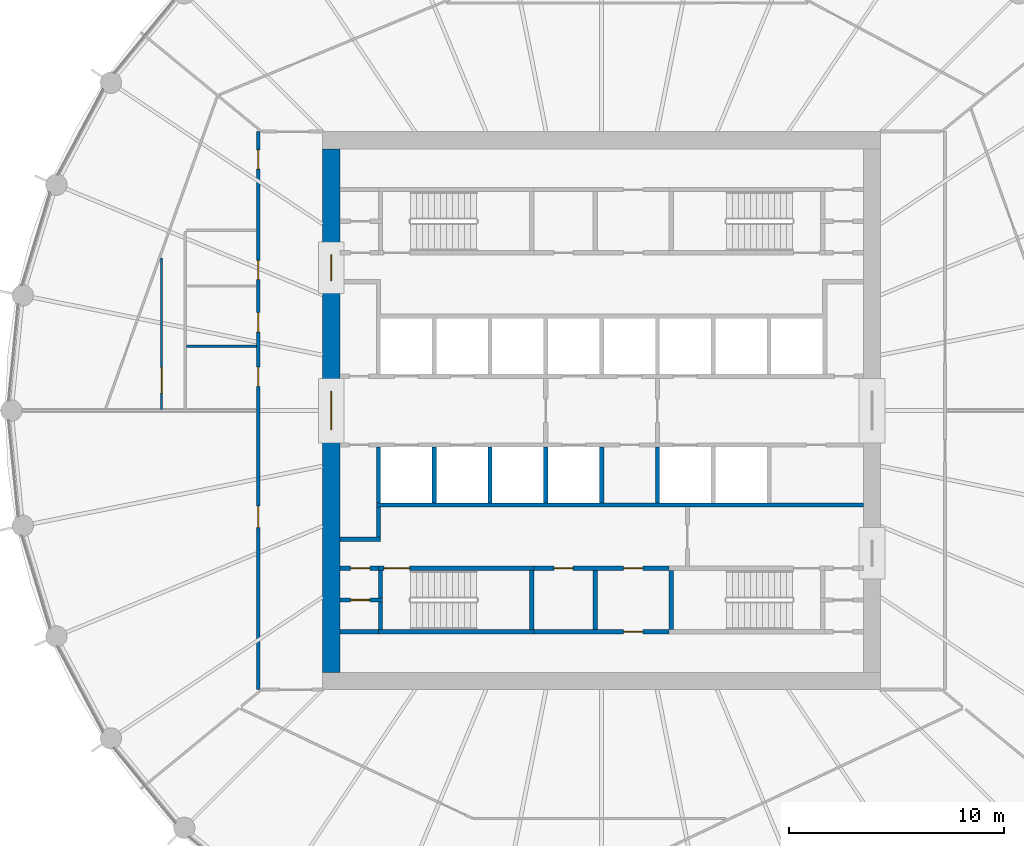
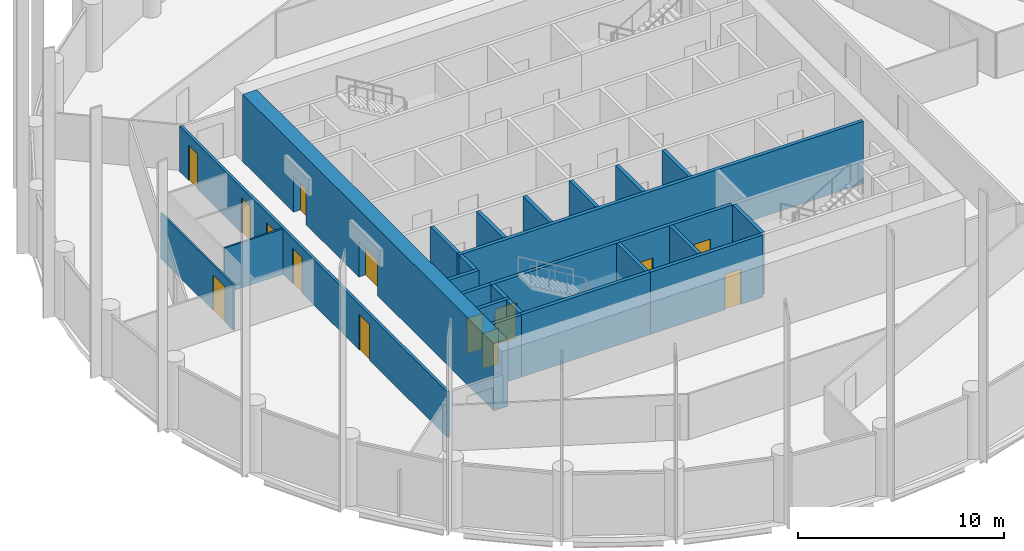
# One storey, part 4 of 8: 25 walls, 14 doors, 14 openings.
"""IFC4 building model written with IfcOpenShell, lengths in metres."""

import ifcopenshell
import ifcopenshell.guid

model = None  # the IFC model being written
_history = None  # IfcOwnerHistory: only IFC2X3 demands one
_inside = {}  # id of a spatial element -> (the spatial element, [elements in it])
_under = {}  # id of a project, library or spatial element -> (it, [spatial elements below it])
_declared = {}  # id of a project -> (the project, [libraries it declares])
_typed = {}  # id of a type object -> (the type object, [elements of that type])
_made_of = {}  # id of a material, layer set ... -> (it, [elements and type objects made of it])


def new_model(schema):
    """Start an empty IFC model of exactly this schema.

    Asked for "IFC4X3", IfcOpenShell would pick the latest addendum, in which some entities
    have other attributes; the version numbers below select the first issue.
    IFC2X3 requires an IfcOwnerHistory on every rooted entity: one is made here for all.
    """
    global model, _history
    if schema == "IFC4X3":
        model = ifcopenshell.file(schema_version=(4, 3, 0, 0))
    else:
        model = ifcopenshell.file(schema=schema)
    _inside.clear()
    _under.clear()
    _declared.clear()
    _typed.clear()
    _made_of.clear()
    _history = None
    if model.schema == "IFC2X3":
        org = make("IfcOrganization", Name="unknown")
        user = make(
            "IfcPersonAndOrganization",
            ThePerson=make("IfcPerson", FamilyName="unknown"),
            TheOrganization=org,
        )
        app = make(
            "IfcApplication",
            ApplicationDeveloper=org,
            Version="unknown",
            ApplicationFullName="unknown",
            ApplicationIdentifier="unknown",
        )
        _history = make(
            "IfcOwnerHistory",
            OwningUser=user,
            OwningApplication=app,
            ChangeAction="ADDED",
            CreationDate=0,
        )
    return model


def make(cls, **values):
    """One entity of the class cls with the attributes given. An attribute that is None is left unset."""
    return model.create_entity(
        cls, **{name: value for name, value in values.items() if value is not None}
    )


def rooted(cls, **values):
    """An entity with a GlobalId (a new one), such as an element, a storey or a relation."""
    return make(cls, GlobalId=ifcopenshell.guid.new(), OwnerHistory=_history, **values)


def si_unit(unit_type, name, prefix=None):
    """IfcSIUnit, for example si_unit("LENGTHUNIT", "METRE", prefix="MILLI")."""
    return make("IfcSIUnit", UnitType=unit_type, Prefix=prefix, Name=name)


def assignment(units):
    """IfcUnitAssignment: the units of a project."""
    return None if units is None else make("IfcUnitAssignment", Units=units)


def point(xyz):
    """IfcCartesianPoint."""
    return None if xyz is None else make("IfcCartesianPoint", Coordinates=xyz)


def direction(xyz):
    """IfcDirection."""
    return None if xyz is None else make("IfcDirection", DirectionRatios=xyz)


def frame(location, z_axis=None, x_axis=None):
    """IfcAxis2Placement3D, a coordinate frame: its origin and axes. An axis left out is left unset."""
    return make(
        "IfcAxis2Placement3D",
        Location=point(location),
        Axis=direction(z_axis),
        RefDirection=direction(x_axis),
    )


def frame_2d(location, x_axis=None):
    """IfcAxis2Placement2D, a coordinate frame in the plane: its origin and x axis."""
    return make(
        "IfcAxis2Placement2D", Location=point(location), RefDirection=direction(x_axis)
    )


def origin():
    """The frame at (0, 0, 0) with its axes left unset."""
    return frame((0.0, 0.0, 0.0))


def place(relative_to, where):
    """IfcLocalPlacement: puts the frame where relative to a parent placement (None: the world)."""
    return make(
        "IfcLocalPlacement", PlacementRelTo=relative_to, RelativePlacement=where
    )


def context(
    kind, dimensions, precision=None, world=None, true_north=None, identifier=None
):
    """IfcGeometricRepresentationContext, for example the 3D "Model" context."""
    return make(
        "IfcGeometricRepresentationContext",
        ContextIdentifier=identifier,
        ContextType=kind,
        CoordinateSpaceDimension=dimensions,
        Precision=precision,
        WorldCoordinateSystem=world,
        TrueNorth=true_north,
    )


def subcontext(parent, identifier, kind, view, scale=None):
    """IfcGeometricRepresentationSubContext, for example "Body" below "Model"."""
    return make(
        "IfcGeometricRepresentationSubContext",
        ContextIdentifier=identifier,
        ContextType=kind,
        ParentContext=parent,
        TargetScale=scale,
        TargetView=view,
    )


def project(units=None, contexts=None):
    """IfcProject with its units and contexts."""
    return rooted(
        "IfcProject",
        Name="project",
        RepresentationContexts=contexts,
        UnitsInContext=assignment(units),
    )


def spatial(cls, under=None, at=None, **own):
    """A site, building, storey or space (cls), placed at a placement, below another one or the project."""
    s = rooted(cls, ObjectPlacement=at, **own)
    if under is not None:
        _under.setdefault(under.id(), (under, []))[1].append(s)
    return s


def polyline(points):
    """IfcPolyline through the points."""
    return make("IfcPolyline", Points=[point(p) for p in points])


def profile(cls, at=None, kind="AREA", **sizes):
    """A parametric profile (cls). Its sizes go by their IFC names, for example OverallWidth=200.0."""
    return make(cls, ProfileType=kind, Position=at, **sizes)


def rectangle(**sizes):
    """IfcRectangleProfileDef."""
    return profile("IfcRectangleProfileDef", **sizes)


def outline(outer, holes=None, kind="AREA"):
    """IfcArbitraryClosedProfileDef: a profile drawn as a closed curve; with holes, ...WithVoids."""
    if holes is None:
        return make("IfcArbitraryClosedProfileDef", ProfileType=kind, OuterCurve=outer)
    return make(
        "IfcArbitraryProfileDefWithVoids",
        ProfileType=kind,
        OuterCurve=outer,
        InnerCurves=holes,
    )


def extrude(swept, where, along, depth):
    """IfcExtrudedAreaSolid: the profile swept, set in the frame where, extruded along a direction by depth."""
    return make(
        "IfcExtrudedAreaSolid",
        SweptArea=swept,
        Position=where,
        ExtrudedDirection=direction(along),
        Depth=depth,
    )


def shape(context_of_items, identifier, shape_type, items):
    """IfcShapeRepresentation: the items that make up one representation, for example the "Body"."""
    return make(
        "IfcShapeRepresentation",
        ContextOfItems=context_of_items,
        RepresentationIdentifier=identifier,
        RepresentationType=shape_type,
        Items=items,
    )


def material(Name=None, Category=None):
    """IfcMaterial."""
    return make("IfcMaterial", Name=Name, Category=Category)


def layer(
    of_material, thickness, ventilated=None, Name=None, Category=None, Priority=None
):
    """IfcMaterialLayer: one layer of a wall or slab, of a material (None: an air gap)."""
    return make(
        "IfcMaterialLayer",
        Material=of_material,
        LayerThickness=thickness,
        IsVentilated=ventilated,
        Name=Name,
        Category=Category,
        Priority=Priority,
    )


def layer_set(layers, Name=None):
    """IfcMaterialLayerSet."""
    return make("IfcMaterialLayerSet", MaterialLayers=layers, LayerSetName=Name)


def made_of(thing, what):
    """Note that an element or type object is made of a material, layer set ...; save() writes the relation."""
    if what is not None:
        _made_of.setdefault(what.id(), (what, []))[1].append(thing)
    return thing


def type_object(cls, material=None, **own):
    """A type object (cls), such as IfcWallType, which elements share."""
    return made_of(rooted(cls, **own), material)


def element(
    cls,
    number,
    at=None,
    inside=None,
    cuts=None,
    type_object=None,
    material=None,
    context=None,
    identifier="Body",
    shape_type=None,
    held_by="IfcProductDefinitionShape",
    body=None,
    shapes=None,
    **own,
):
    """One element of the class cls, such as IfcWall. Its Tag is "e" and its number.

    at: its placement. inside: the storey or other place that contains it. cuts: it is an
    opening in that element (IfcRelVoidsElement). A single representation is given by context,
    identifier, shape_type and body (its items); several are given by shapes. held_by: the class
    of the entity that holds the representations. save() writes the other relations.
    """
    e = rooted(cls, Tag="e%d" % number, ObjectPlacement=at, **own)
    if body is not None:
        shapes = [shape(context, identifier, shape_type, body)]
    if shapes is not None:
        e.Representation = make(held_by, Representations=shapes)
    if inside is not None:
        _inside.setdefault(inside.id(), (inside, []))[1].append(e)
    if cuts is not None:
        rooted(
            "IfcRelVoidsElement", RelatingBuildingElement=cuts, RelatedOpeningElement=e
        )
    if type_object is not None:
        _typed.setdefault(type_object.id(), (type_object, []))[1].append(e)
    return made_of(e, material)


def fill(opening, filler):
    """IfcRelFillsElement: the door or window that sits in an opening."""
    return rooted(
        "IfcRelFillsElement",
        RelatingOpeningElement=opening,
        RelatedBuildingElement=filler,
    )


def aggregate(whole, parts):
    """IfcRelAggregates: a whole, such as a stair, and the parts it consists of."""
    return rooted("IfcRelAggregates", RelatingObject=whole, RelatedObjects=parts)


def save(model, path):
    """Write the relations noted so far, then the file.

    IfcRelAggregates (storeys below a building ...), IfcRelContainedInSpatialStructure (elements
    in a storey), IfcRelDefinesByType, IfcRelAssociatesMaterial and IfcRelDeclares: one each for
    every whole, place, type object, material and project.
    """
    for whole, parts in _under.values():
        aggregate(whole, parts)
    for where, things in _inside.values():
        rooted(
            "IfcRelContainedInSpatialStructure",
            RelatedElements=things,
            RelatingStructure=where,
        )
    for kind, things in _typed.values():
        rooted("IfcRelDefinesByType", RelatedObjects=things, RelatingType=kind)
    for what, things in _made_of.values():
        rooted("IfcRelAssociatesMaterial", RelatedObjects=things, RelatingMaterial=what)
    for by, libraries in _declared.values():
        rooted("IfcRelDeclares", RelatingContext=by, RelatedDefinitions=libraries)
    model.write(path)


model = new_model("IFC4")

# Units and contexts
model_context = context("Model", 3, precision=1e-05, world=origin(), true_north=direction((0.0, 1.0)))
body_context = subcontext(model_context, "Body", "Model", "MODEL_VIEW")
ifc_project = project(units=[si_unit("LENGTHUNIT", "METRE"), si_unit("AREAUNIT", "SQUARE_METRE"), si_unit("VOLUMEUNIT", "CUBIC_METRE"), si_unit("PLANEANGLEUNIT", "RADIAN"), si_unit("MASSUNIT", "GRAM", prefix="KILO")], contexts=[model_context])

# Site, building, storey
site_placement = place(None, origin())
site = spatial("IfcSite", under=ifc_project, at=site_placement, CompositionType="ELEMENT")
building_placement = place(site_placement, origin())
building = spatial("IfcBuilding", under=site, at=building_placement, Name="Corvane Civic Tower", CompositionType="ELEMENT")
storey_placement = place(building_placement, frame((0.0, 0.0, 233.5)))
storey = spatial("IfcBuildingStorey", under=building, at=storey_placement, Name="L55", CompositionType="ELEMENT", Elevation=233.5)

# Wall, openings, doors
ifc_material_1 = material(Name="Concrete C50/60", Category="concrete")
ifc_layer_1 = layer(ifc_material_1, 0.800048828125)
ifc_layer_set_1 = layer_set([ifc_layer_1], Name="Concrete C50/60")
wall_type_1 = type_object("IfcWallType", Name="CORE WALL 800 C50/60", PredefinedType="SHEAR", material=ifc_layer_set_1)
wall_1_placement = place(storey_placement, frame((-12.60009765625, -12.199951171875, 0.0), z_axis=(0.0, 0.0, 1.0), x_axis=(0.0, 1.0, 0.0)))
wall_1 = element("IfcWall", 1, at=wall_1_placement, inside=storey, type_object=wall_type_1, Name="W-L55-core-W", PredefinedType="SHEAR", context=body_context, shape_type="SweptSolid", body=[
    extrude(rectangle(XDim=24.39990234375, YDim=0.800048828125, at=frame_2d((12.199951171875, 0.0))), origin(), (0.0, 0.0, 1.0), 4.0),
])
opening_1_placement = place(wall_1_placement, frame((11.300048828125, 0.0, 0.0)))
opening_1 = element("IfcOpeningElement", 2, at=opening_1_placement, cuts=wall_1, Name="Opening L55.C29", PredefinedType="OPENING", context=body_context, shape_type="SweptSolid", body=[
    extrude(rectangle(XDim=1.800048828125, YDim=2.10009765625, at=frame_2d((0.89990234375, 1.050048828125))), frame((0.0, 0.409912109375, 0.0), z_axis=(0.0, -1.0, 0.0), x_axis=(1.0, 0.0, 0.0)), (0.0, 0.0, 1.0), 0.820068359375),
])
opening_2_placement = place(wall_1_placement, frame((18.25, 0.0, 0.0)))
opening_2 = element("IfcOpeningElement", 3, at=opening_2_placement, cuts=wall_1, Name="Opening L55.C31", PredefinedType="OPENING", context=body_context, shape_type="SweptSolid", body=[
    extrude(rectangle(XDim=1.199951171875, YDim=2.10009765625, at=frame_2d((0.60009765625, 1.050048828125))), frame((0.0, 0.409912109375, 0.0), z_axis=(0.0, -1.0, 0.0), x_axis=(1.0, 0.0, 0.0)), (0.0, 0.0, 1.0), 0.820068359375),
])
ifc_material_2 = material(Name="Steel fire door leaf", Category="steel")
door_type_1 = type_object("IfcDoorType", Name="CR-DOOR-CORE-1800", OperationType="DOUBLE_DOOR_SINGLE_SWING", PredefinedType="DOOR", material=ifc_material_2)
door_1_placement = place(opening_1_placement, origin())
door_1 = element("IfcDoor", 4, at=door_1_placement, inside=storey, type_object=door_type_1, Name="L55 door", OperationType="DOUBLE_DOOR_SINGLE_SWING", OverallHeight=2.10009765625, OverallWidth=1.800048828125, PredefinedType="DOOR", context=body_context, shape_type="SweptSolid", body=[
    extrude(rectangle(XDim=1.800048828125, YDim=2.10009765625, at=frame_2d((0.89990234375, 1.050048828125))), frame((0.0, 0.02490234375, 0.0), z_axis=(0.0, -1.0, 0.0), x_axis=(1.0, 0.0, 0.0)), (0.0, 0.0, 1.0), 0.050048828125),
])
fill(opening_1, door_1)
door_2_placement = place(opening_2_placement, origin())
door_2 = element("IfcDoor", 5, at=door_2_placement, inside=storey, type_object=door_type_1, Name="L55 door", OperationType="DOUBLE_DOOR_SINGLE_SWING", OverallHeight=2.10009765625, OverallWidth=1.199951171875, PredefinedType="DOOR", context=body_context, shape_type="SweptSolid", body=[
    extrude(rectangle(XDim=1.199951171875, YDim=2.10009765625, at=frame_2d((0.60009765625, 1.050048828125))), frame((0.0, 0.02490234375, 0.0), z_axis=(0.0, -1.0, 0.0), x_axis=(1.0, 0.0, 0.0)), (0.0, 0.0, 1.0), 0.050048828125),
])
fill(opening_2, door_2)

# Wall, opening, door
ifc_material_3 = material(Name="Concrete C30/37", Category="concrete")
ifc_layer_2 = layer(ifc_material_3, 0.199951171875)
ifc_layer_set_2 = layer_set([ifc_layer_2], Name="Concrete C30/37")
wall_type_2 = type_object("IfcWallType", Name="CR-WALL-200", PredefinedType="PARTITIONING", material=ifc_layer_set_2)
wall_2_placement = place(storey_placement, frame((-3.14990234375, -10.300048828125, 0.0), z_axis=(0.0, 0.0, 1.0), x_axis=(1.0, 0.0, 0.0)))
wall_2 = element("IfcWall", 6, at=wall_2_placement, inside=storey, type_object=wall_type_2, Name="L55 partition wall", PredefinedType="PARTITIONING", context=body_context, shape_type="SweptSolid", body=[
    extrude(rectangle(XDim=6.2998046875, YDim=0.199951171875, at=frame_2d((3.14990234375, 0.0))), origin(), (0.0, 0.0, 1.0), 3.699951171875),
])
opening_3_placement = place(wall_2_placement, frame((4.175048828125, 0.0, 0.0)))
opening_3 = element("IfcOpeningElement", 7, at=opening_3_placement, cuts=wall_2, Name="Opening L55.C11", PredefinedType="OPENING", context=body_context, shape_type="SweptSolid", body=[
    extrude(rectangle(XDim=0.89990234375, YDim=2.10009765625, at=frame_2d((0.449951171875, 1.050048828125))), frame((0.0, 0.10986328125, 0.0), z_axis=(0.0, -1.0, 0.0), x_axis=(1.0, 0.0, 0.0)), (0.0, 0.0, 1.0), 0.219970703125),
])
ifc_material_4 = material(Name="Steel fire door leaf", Category="steel")
door_type_2 = type_object("IfcDoorType", Name="CR-DOOR-900", OperationType="SINGLE_SWING_LEFT", PredefinedType="DOOR", material=ifc_material_4)
door_3_placement = place(opening_3_placement, origin())
door_3 = element("IfcDoor", 8, at=door_3_placement, inside=storey, type_object=door_type_2, Name="L55 door", OperationType="SINGLE_SWING_LEFT", OverallHeight=2.10009765625, OverallWidth=0.89990234375, PredefinedType="DOOR", context=body_context, shape_type="SweptSolid", body=[
    extrude(rectangle(XDim=0.89990234375, YDim=2.10009765625, at=frame_2d((0.449951171875, 1.050048828125))), frame((0.0, 0.02490234375, 0.0), z_axis=(0.0, -1.0, 0.0), x_axis=(1.0, 0.0, 0.0)), (0.0, 0.0, 1.0), 0.050048828125),
])
fill(opening_3, door_3)

wall_3_placement = place(storey_placement, frame((-12.199951171875, -8.824951171875, 0.0), z_axis=(0.0, 0.0, 1.0), x_axis=(1.0, 0.0, 0.0)))
wall_3 = element("IfcWall", 9, at=wall_3_placement, inside=storey, type_object=wall_type_2, Name="L55 partition wall", PredefinedType="PARTITIONING", context=body_context, shape_type="SweptSolid", body=[
    extrude(rectangle(XDim=2.0, YDim=0.199951171875, at=frame_2d((1.0, 0.0))), origin(), (0.0, 0.0, 1.0), 3.699951171875),
])
opening_4_placement = place(wall_3_placement, frame((0.5, 0.0, 0.0)))
opening_4 = element("IfcOpeningElement", 10, at=opening_4_placement, cuts=wall_3, Name="Opening L55.C15", PredefinedType="OPENING", context=body_context, shape_type="SweptSolid", body=[
    extrude(rectangle(XDim=0.89990234375, YDim=2.10009765625, at=frame_2d((0.449951171875, 1.050048828125))), frame((0.0, 0.10986328125, 0.0), z_axis=(0.0, -1.0, 0.0), x_axis=(1.0, 0.0, 0.0)), (0.0, 0.0, 1.0), 0.219970703125),
])
door_4_placement = place(opening_4_placement, origin())
door_4 = element("IfcDoor", 11, at=door_4_placement, inside=storey, type_object=door_type_2, Name="L55 door", OperationType="SINGLE_SWING_LEFT", OverallHeight=2.10009765625, OverallWidth=0.89990234375, PredefinedType="DOOR", context=body_context, shape_type="SweptSolid", body=[
    extrude(rectangle(XDim=0.89990234375, YDim=2.10009765625, at=frame_2d((0.449951171875, 1.050048828125))), frame((0.0, 0.02490234375, 0.0), z_axis=(0.0, -1.0, 0.0), x_axis=(1.0, 0.0, 0.0)), (0.0, 0.0, 1.0), 0.050048828125),
])
fill(opening_4, door_4)

wall_4_placement = place(storey_placement, frame((-12.199951171875, -7.35009765625, 0.0), z_axis=(0.0, 0.0, 1.0), x_axis=(1.0, 0.0, 0.0)))
wall_4 = element("IfcWall", 12, at=wall_4_placement, inside=storey, type_object=wall_type_2, Name="L55 core partition wall", PredefinedType="PARTITIONING", context=body_context, shape_type="SweptSolid", body=[
    extrude(rectangle(XDim=1.800048828125, YDim=0.199951171875, at=frame_2d((0.89990234375, 0.0))), origin(), (0.0, 0.0, 1.0), 3.699951171875),
])
opening_5_placement = place(wall_4_placement, frame((0.5, 0.0, 0.0)))
opening_5 = element("IfcOpeningElement", 13, at=opening_5_placement, cuts=wall_4, Name="Opening L55.C14", PredefinedType="OPENING", context=body_context, shape_type="SweptSolid", body=[
    extrude(rectangle(XDim=0.89990234375, YDim=2.10009765625, at=frame_2d((0.449951171875, 1.050048828125))), frame((0.0, 0.10986328125, 0.0), z_axis=(0.0, -1.0, 0.0), x_axis=(1.0, 0.0, 0.0)), (0.0, 0.0, 1.0), 0.219970703125),
])
door_5_placement = place(opening_5_placement, origin())
door_5 = element("IfcDoor", 14, at=door_5_placement, inside=storey, type_object=door_type_2, Name="L55 door", OperationType="SINGLE_SWING_LEFT", OverallHeight=2.10009765625, OverallWidth=0.89990234375, PredefinedType="DOOR", context=body_context, shape_type="SweptSolid", body=[
    extrude(rectangle(XDim=0.89990234375, YDim=2.10009765625, at=frame_2d((0.449951171875, 1.050048828125))), frame((0.0, 0.02490234375, 0.0), z_axis=(0.0, -1.0, 0.0), x_axis=(1.0, 0.0, 0.0)), (0.0, 0.0, 1.0), 0.050048828125),
])
fill(opening_5, door_5)

# Wall, openings, doors
wall_5_placement = place(storey_placement, frame((-3.14990234375, -7.35009765625, 0.0), z_axis=(0.0, 0.0, 1.0), x_axis=(1.0, 0.0, 0.0)))
wall_5 = element("IfcWall", 15, at=wall_5_placement, inside=storey, type_object=wall_type_2, Name="L55 core partition wall", PredefinedType="PARTITIONING", context=body_context, shape_type="SweptSolid", body=[
    extrude(rectangle(XDim=6.2998046875, YDim=0.199951171875, at=frame_2d((3.14990234375, 0.0))), origin(), (0.0, 0.0, 1.0), 3.699951171875),
])
opening_6_placement = place(wall_5_placement, frame((0.925048828125, 0.0, 0.0)))
opening_6 = element("IfcOpeningElement", 16, at=opening_6_placement, cuts=wall_5, Name="Opening L55.C08", PredefinedType="OPENING", context=body_context, shape_type="SweptSolid", body=[
    extrude(rectangle(XDim=0.89990234375, YDim=2.10009765625, at=frame_2d((0.449951171875, 1.050048828125))), frame((0.0, 0.10986328125, 0.0), z_axis=(0.0, -1.0, 0.0), x_axis=(1.0, 0.0, 0.0)), (0.0, 0.0, 1.0), 0.219970703125),
])
opening_7_placement = place(wall_5_placement, frame((4.175048828125, 0.0, 0.0)))
opening_7 = element("IfcOpeningElement", 17, at=opening_7_placement, cuts=wall_5, Name="Opening L55.C09", PredefinedType="OPENING", context=body_context, shape_type="SweptSolid", body=[
    extrude(rectangle(XDim=0.89990234375, YDim=2.10009765625, at=frame_2d((0.449951171875, 1.050048828125))), frame((0.0, 0.10986328125, 0.0), z_axis=(0.0, -1.0, 0.0), x_axis=(1.0, 0.0, 0.0)), (0.0, 0.0, 1.0), 0.219970703125),
])
door_6_placement = place(opening_6_placement, origin())
door_6 = element("IfcDoor", 18, at=door_6_placement, inside=storey, type_object=door_type_2, Name="L55 door", OperationType="SINGLE_SWING_LEFT", OverallHeight=2.10009765625, OverallWidth=0.89990234375, PredefinedType="DOOR", context=body_context, shape_type="SweptSolid", body=[
    extrude(rectangle(XDim=0.89990234375, YDim=2.10009765625, at=frame_2d((0.449951171875, 1.050048828125))), frame((0.0, 0.02490234375, 0.0), z_axis=(0.0, -1.0, 0.0), x_axis=(1.0, 0.0, 0.0)), (0.0, 0.0, 1.0), 0.050048828125),
])
fill(opening_6, door_6)
door_7_placement = place(opening_7_placement, origin())
door_7 = element("IfcDoor", 19, at=door_7_placement, inside=storey, type_object=door_type_2, Name="L55 door", OperationType="SINGLE_SWING_LEFT", OverallHeight=2.10009765625, OverallWidth=0.89990234375, PredefinedType="DOOR", context=body_context, shape_type="SweptSolid", body=[
    extrude(rectangle(XDim=0.89990234375, YDim=2.10009765625, at=frame_2d((0.449951171875, 1.050048828125))), frame((0.0, 0.02490234375, 0.0), z_axis=(0.0, -1.0, 0.0), x_axis=(1.0, 0.0, 0.0)), (0.0, 0.0, 1.0), 0.050048828125),
])
fill(opening_7, door_7)

# Walls
wall_6_placement = place(storey_placement, origin())
element("IfcWall", 20, at=wall_6_placement, inside=storey, type_object=wall_type_2, Name="L55 core partition wall", PredefinedType="PARTITIONING", context=body_context, shape_type="SweptSolid", body=[
    extrude(outline(polyline([(12.199951171875, -4.300048828125), (12.199951171875, -4.5), (-10.5, -4.5), (-10.5, -4.300048828125), (12.199951171875, -4.300048828125)])), origin(), (0.0, 0.0, 1.0), 3.699951171875),
])
wall_7_placement = place(storey_placement, origin())
element("IfcWall", 21, at=wall_7_placement, inside=storey, type_object=wall_type_2, Name="L55 core partition wall", PredefinedType="PARTITIONING", context=body_context, shape_type="SweptSolid", body=[
    extrude(outline(polyline([(-2.5, -1.699951171875), (-2.5, -4.2998046875), (-2.699951171875, -4.2998046875), (-2.699951171875, -1.699951171875), (-2.5, -1.699951171875)])), origin(), (0.0, 0.0, 1.0), 3.699951171875),
])
wall_8_placement = place(storey_placement, origin())
element("IfcWall", 22, at=wall_8_placement, inside=storey, type_object=wall_type_2, Name="L55 core partition wall", PredefinedType="PARTITIONING", context=body_context, shape_type="SweptSolid", body=[
    extrude(outline(polyline([(2.699951171875, -1.699951171875), (2.699951171875, -4.2998046875), (2.5, -4.2998046875), (2.5, -1.699951171875), (2.699951171875, -1.699951171875)])), origin(), (0.0, 0.0, 1.0), 3.699951171875),
])
wall_9_placement = place(storey_placement, origin())
element("IfcWall", 23, at=wall_9_placement, inside=storey, type_object=wall_type_2, Name="L55 core partition wall", PredefinedType="PARTITIONING", context=body_context, shape_type="SweptSolid", body=[
    extrude(outline(polyline([(0.10009765625, -1.699951171875), (0.10009765625, -4.2998046875), (-0.10009765625, -4.2998046875), (-0.10009765625, -1.699951171875), (0.10009765625, -1.699951171875)])), origin(), (0.0, 0.0, 1.0), 3.699951171875),
])
wall_10_placement = place(storey_placement, origin())
element("IfcWall", 24, at=wall_10_placement, inside=storey, type_object=wall_type_2, Name="L55 core partition wall", PredefinedType="PARTITIONING", context=body_context, shape_type="SweptSolid", body=[
    extrude(outline(polyline([(-10.300048828125, -1.699951171875), (-10.300048828125, -4.2998046875), (-10.5, -4.2998046875), (-10.5, -1.699951171875), (-10.300048828125, -1.699951171875)])), origin(), (0.0, 0.0, 1.0), 3.699951171875),
])
wall_11_placement = place(storey_placement, origin())
element("IfcWall", 25, at=wall_11_placement, inside=storey, type_object=wall_type_2, Name="L55 core partition wall", PredefinedType="PARTITIONING", context=body_context, shape_type="SweptSolid", body=[
    extrude(outline(polyline([(-7.699951171875, -1.699951171875), (-7.699951171875, -4.2998046875), (-7.89990234375, -4.2998046875), (-7.89990234375, -1.699951171875), (-7.699951171875, -1.699951171875)])), origin(), (0.0, 0.0, 1.0), 3.699951171875),
])
wall_12_placement = place(storey_placement, origin())
element("IfcWall", 26, at=wall_12_placement, inside=storey, type_object=wall_type_2, Name="L55 core partition wall", PredefinedType="PARTITIONING", context=body_context, shape_type="SweptSolid", body=[
    extrude(outline(polyline([(-5.10009765625, -1.699951171875), (-5.10009765625, -4.2998046875), (-5.300048828125, -4.2998046875), (-5.300048828125, -1.699951171875), (-5.10009765625, -1.699951171875)])), origin(), (0.0, 0.0, 1.0), 3.699951171875),
])
wall_13_placement = place(storey_placement, origin())
element("IfcWall", 27, at=wall_13_placement, inside=storey, type_object=wall_type_2, Name="L55 core partition wall", PredefinedType="PARTITIONING", context=body_context, shape_type="SweptSolid", body=[
    extrude(outline(polyline([(-10.300048828125, -6.10009765625), (-12.199951171875, -6.10009765625), (-12.199951171875, -5.89990234375), (-10.300048828125, -5.89990234375), (-10.300048828125, -6.10009765625)])), origin(), (0.0, 0.0, 1.0), 3.699951171875),
])
wall_14_placement = place(storey_placement, origin())
element("IfcWall", 28, at=wall_14_placement, inside=storey, type_object=wall_type_2, Name="L55 core partition wall", PredefinedType="PARTITIONING", context=body_context, shape_type="SweptSolid", body=[
    extrude(outline(polyline([(-10.300048828125, -5.89990234375), (-10.5, -5.89990234375), (-10.5, -4.5), (-10.300048828125, -4.5), (-10.300048828125, -5.89990234375)])), origin(), (0.0, 0.0, 1.0), 3.699951171875),
])
wall_15_placement = place(storey_placement, origin())
element("IfcWall", 29, at=wall_15_placement, inside=storey, type_object=wall_type_2, Name="L55 core partition wall", PredefinedType="PARTITIONING", context=body_context, shape_type="SweptSolid", body=[
    extrude(outline(polyline([(-10.39990234375, -10.39990234375), (-12.199951171875, -10.39990234375), (-12.199951171875, -10.199951171875), (-10.39990234375, -10.199951171875), (-10.39990234375, -10.39990234375)])), origin(), (0.0, 0.0, 1.0), 3.699951171875),
])
wall_16_placement = place(storey_placement, origin())
element("IfcWall", 30, at=wall_16_placement, inside=storey, type_object=wall_type_2, Name="L55 core partition wall", PredefinedType="PARTITIONING", context=body_context, shape_type="SweptSolid", body=[
    extrude(outline(polyline([(-0.199951171875, -10.199951171875), (-0.39990234375, -10.199951171875), (-0.39990234375, -7.449951171875), (-0.199951171875, -7.449951171875), (-0.199951171875, -10.199951171875)])), origin(), (0.0, 0.0, 1.0), 3.699951171875),
])

# Wall, opening, door
ifc_material_5 = material(Name="Plasterboard")
ifc_layer_3 = layer(ifc_material_5, 0.10009765625)
ifc_layer_set_3 = layer_set([ifc_layer_3], Name="Plasterboard")
wall_type_3 = type_object("IfcWallType", Name="Partition 100 plasterboard on studs", PredefinedType="PARTITIONING", material=ifc_layer_set_3)
wall_17_placement = place(storey_placement, frame((-20.5, 0.050048828125, 0.0), z_axis=(0.0, 0.0, 1.0), x_axis=(0.0, 1.0, 0.0)))
wall_17 = element("IfcWall", 31, at=wall_17_placement, inside=storey, type_object=wall_type_3, Name="Partition L55.017", PredefinedType="PARTITIONING", context=body_context, shape_type="SweptSolid", body=[
    extrude(rectangle(XDim=7.05322265625, YDim=0.10009765625, at=frame_2d((3.526611328125, 0.0))), origin(), (0.0, 0.0, 1.0), 2.699951171875),
])
opening_8_placement = place(wall_17_placement, frame((0.767578125, 0.0, 0.0)))
opening_8 = element("IfcOpeningElement", 32, at=opening_8_placement, cuts=wall_17, Name="Opening L55.013", PredefinedType="OPENING", context=body_context, shape_type="SweptSolid", body=[
    extrude(rectangle(XDim=1.199951171875, YDim=2.10009765625, at=frame_2d((0.60009765625, 1.050048828125))), frame((0.0, 0.06005859375, 0.0), z_axis=(0.0, -1.0, 0.0), x_axis=(1.0, 0.0, 0.0)), (0.0, 0.0, 1.0), 0.1201171875),
])
ifc_material_6 = material(Name="Timber", Category="wood")
door_type_3 = type_object("IfcDoorType", Name="Double door 1200", OperationType="NOTDEFINED", PredefinedType="DOOR", material=ifc_material_6)
door_8_placement = place(opening_8_placement, origin())
door_8 = element("IfcDoor", 33, at=door_8_placement, inside=storey, type_object=door_type_3, Name="Door L55.013", OperationType="DOUBLE_DOOR_SINGLE_SWING", OverallHeight=2.10009765625, OverallWidth=1.199951171875, PredefinedType="DOOR", context=body_context, shape_type="SweptSolid", body=[
    extrude(rectangle(XDim=1.199951171875, YDim=2.10009765625, at=frame_2d((0.60009765625, 1.050048828125))), frame((0.0, 0.02490234375, 0.0), z_axis=(0.0, -1.0, 0.0), x_axis=(1.0, 0.0, 0.0)), (0.0, 0.0, 1.0), 0.050048828125),
])
fill(opening_8, door_8)

# Wall
wall_18_placement = place(storey_placement, frame((-19.35009765625, 3.0, 0.0), z_axis=(0.0, 0.0, 1.0), x_axis=(1.0, 0.0, 0.0)))
element("IfcWall", 34, at=wall_18_placement, inside=storey, type_object=wall_type_3, Name="Partition L55.021", PredefinedType="PARTITIONING", context=body_context, shape_type="SweptSolid", body=[
    extrude(rectangle(XDim=3.275146484375, YDim=0.10009765625, at=frame_2d((1.6376953125, 0.0))), origin(), (0.0, 0.0, 1.0), 2.699951171875),
])

# Wall, opening, door
ifc_material_7 = material(Name="Concrete C50/60", Category="concrete")
ifc_layer_4 = layer(ifc_material_7, 0.199951171875)
ifc_layer_set_4 = layer_set([ifc_layer_4], Name="Concrete C50/60")
wall_type_4 = type_object("IfcWallType", Name="ST-WALL-200", PredefinedType="SHEAR", material=ifc_layer_set_4)
wall_19_placement = place(storey_placement, frame((-10.39990234375, -7.35009765625, 0.0), z_axis=(0.0, 0.0, 1.0), x_axis=(1.0, 0.0, 0.0)))
wall_19 = element("IfcWall", 35, at=wall_19_placement, inside=storey, type_object=wall_type_4, Name="L55 stair enclosure wall", PredefinedType="SHEAR", context=body_context, shape_type="SweptSolid", body=[
    extrude(rectangle(XDim=7.25, YDim=0.199951171875, at=frame_2d((3.625, 0.0))), origin(), (0.0, 0.0, 1.0), 3.699951171875),
])
opening_9_placement = place(wall_19_placement, frame((0.25, 0.0, 0.0)))
opening_9 = element("IfcOpeningElement", 36, at=opening_9_placement, cuts=wall_19, Name="Opening L55.C25", PredefinedType="OPENING", context=body_context, shape_type="SweptSolid", body=[
    extrude(rectangle(XDim=1.199951171875, YDim=2.10009765625, at=frame_2d((0.60009765625, 1.050048828125))), frame((0.0, 0.10986328125, 0.0), z_axis=(0.0, -1.0, 0.0), x_axis=(1.0, 0.0, 0.0)), (0.0, 0.0, 1.0), 0.219970703125),
])
ifc_material_8 = material(Name="Steel fire door leaf", Category="steel")
door_type_4 = type_object("IfcDoorType", Name="ST-DOOR-1200", OperationType="SINGLE_SWING_RIGHT", PredefinedType="DOOR", material=ifc_material_8)
door_9_placement = place(opening_9_placement, origin())
door_9 = element("IfcDoor", 37, at=door_9_placement, inside=storey, type_object=door_type_4, Name="L55 stair door", OperationType="SINGLE_SWING_RIGHT", OverallHeight=2.10009765625, OverallWidth=1.199951171875, PredefinedType="DOOR", context=body_context, shape_type="SweptSolid", body=[
    extrude(rectangle(XDim=1.199951171875, YDim=2.10009765625, at=frame_2d((0.60009765625, 1.050048828125))), frame((0.0, 0.02490234375, 0.0), z_axis=(0.0, -1.0, 0.0), x_axis=(1.0, 0.0, 0.0)), (0.0, 0.0, 1.0), 0.050048828125),
])
fill(opening_9, door_9)

# Walls
wall_20_placement = place(storey_placement, origin())
element("IfcWall", 38, at=wall_20_placement, inside=storey, type_object=wall_type_4, Name="L55 stair enclosure wall", PredefinedType="SHEAR", context=body_context, shape_type="SweptSolid", body=[
    extrude(outline(polyline([(-3.14990234375, -10.199951171875), (-3.14990234375, -10.39990234375), (-10.39990234375, -10.39990234375), (-10.39990234375, -10.199951171875), (-3.14990234375, -10.199951171875)])), origin(), (0.0, 0.0, 1.0), 3.699951171875),
])
wall_21_placement = place(storey_placement, origin())
element("IfcWall", 39, at=wall_21_placement, inside=storey, type_object=wall_type_4, Name="L55 stair enclosure wall", PredefinedType="SHEAR", context=body_context, shape_type="SweptSolid", body=[
    extrude(outline(polyline([(-3.14990234375, -7.449951171875), (-3.14990234375, -10.199951171875), (-3.35009765625, -10.199951171875), (-3.35009765625, -7.449951171875), (-3.14990234375, -7.449951171875)])), origin(), (0.0, 0.0, 1.0), 3.699951171875),
])
wall_22_placement = place(storey_placement, origin())
element("IfcWall", 40, at=wall_22_placement, inside=storey, type_object=wall_type_4, Name="L55 stair enclosure wall", PredefinedType="SHEAR", context=body_context, shape_type="SweptSolid", body=[
    extrude(outline(polyline([(3.35009765625, -7.449951171875), (3.35009765625, -10.199951171875), (3.14990234375, -10.199951171875), (3.14990234375, -7.449951171875), (3.35009765625, -7.449951171875)])), origin(), (0.0, 0.0, 1.0), 3.699951171875),
])
wall_23_placement = place(storey_placement, origin())
element("IfcWall", 41, at=wall_23_placement, inside=storey, type_object=wall_type_4, Name="L55 stair enclosure wall", PredefinedType="SHEAR", context=body_context, shape_type="SweptSolid", body=[
    extrude(outline(polyline([(-10.199951171875, -7.449951171875), (-10.199951171875, -8.72509765625), (-10.39990234375, -8.72509765625), (-10.39990234375, -7.449951171875), (-10.199951171875, -7.449951171875)])), origin(), (0.0, 0.0, 1.0), 3.699951171875),
])
wall_24_placement = place(storey_placement, origin())
element("IfcWall", 42, at=wall_24_placement, inside=storey, type_object=wall_type_4, Name="L55 stair enclosure wall", PredefinedType="SHEAR", context=body_context, shape_type="SweptSolid", body=[
    extrude(outline(polyline([(-10.199951171875, -8.925048828125), (-10.199951171875, -10.199951171875), (-10.39990234375, -10.199951171875), (-10.39990234375, -8.925048828125), (-10.199951171875, -8.925048828125)])), origin(), (0.0, 0.0, 1.0), 3.699951171875),
])

# Wall, openings, doors
ifc_material_9 = material(Name="Plasterboard")
ifc_layer_5 = layer(ifc_material_9, 0.14990234375)
ifc_layer_set_5 = layer_set([ifc_layer_5], Name="Plasterboard")
wall_type_5 = type_object("IfcWallType", Name="Tenancy wall 150 EI 60", PredefinedType="PARTITIONING", material=ifc_layer_set_5)
wall_25_placement = place(storey_placement, frame((-16.0, -13.0, 0.0), z_axis=(0.0, 0.0, 1.0), x_axis=(0.0, 1.0, 0.0)))
wall_25 = element("IfcWall", 43, at=wall_25_placement, inside=storey, type_object=wall_type_5, Name="Partition L55.009", PredefinedType="PARTITIONING", context=body_context, shape_type="SweptSolid", body=[
    extrude(rectangle(XDim=26.0, YDim=0.14990234375, at=frame_2d((13.0, 0.0))), origin(), (0.0, 0.0, 1.0), 2.699951171875),
])
opening_10_placement = place(wall_25_placement, frame((7.54541015625, 0.0, 0.0)))
opening_10 = element("IfcOpeningElement", 44, at=opening_10_placement, cuts=wall_25, Name="Opening L55.011", PredefinedType="OPENING", context=body_context, shape_type="SweptSolid", body=[
    extrude(rectangle(XDim=1.0, YDim=2.10009765625, at=frame_2d((0.5, 1.050048828125))), frame((0.0, 0.0849609375, 0.0), z_axis=(0.0, -1.0, 0.0), x_axis=(1.0, 0.0, 0.0)), (0.0, 0.0, 1.0), 0.169921875),
])
opening_11_placement = place(wall_25_placement, frame((24.24658203125, 0.0, 0.0)))
opening_11 = element("IfcOpeningElement", 45, at=opening_11_placement, cuts=wall_25, Name="Opening L55.014", PredefinedType="OPENING", context=body_context, shape_type="SweptSolid", body=[
    extrude(rectangle(XDim=0.89990234375, YDim=2.10009765625, at=frame_2d((0.449951171875, 1.050048828125))), frame((0.0, 0.0849609375, 0.0), z_axis=(0.0, -1.0, 0.0), x_axis=(1.0, 0.0, 0.0)), (0.0, 0.0, 1.0), 0.169921875),
])
opening_12_placement = place(wall_25_placement, frame((14.12744140625, 0.0, 0.0)))
opening_12 = element("IfcOpeningElement", 46, at=opening_12_placement, cuts=wall_25, Name="Opening L55.015", PredefinedType="OPENING", context=body_context, shape_type="SweptSolid", body=[
    extrude(rectangle(XDim=0.89990234375, YDim=2.10009765625, at=frame_2d((0.449951171875, 1.050048828125))), frame((0.0, 0.0849609375, 0.0), z_axis=(0.0, -1.0, 0.0), x_axis=(1.0, 0.0, 0.0)), (0.0, 0.0, 1.0), 0.169921875),
])
opening_13_placement = place(wall_25_placement, frame((16.65966796875, 0.0, 0.0)))
opening_13 = element("IfcOpeningElement", 47, at=opening_13_placement, cuts=wall_25, Name="Opening L55.016", PredefinedType="OPENING", context=body_context, shape_type="SweptSolid", body=[
    extrude(rectangle(XDim=0.89990234375, YDim=2.10009765625, at=frame_2d((0.449951171875, 1.050048828125))), frame((0.0, 0.0849609375, 0.0), z_axis=(0.0, -1.0, 0.0), x_axis=(1.0, 0.0, 0.0)), (0.0, 0.0, 1.0), 0.169921875),
])
opening_14_placement = place(wall_25_placement, frame((19.10009765625, 0.0, 0.0)))
opening_14 = element("IfcOpeningElement", 48, at=opening_14_placement, cuts=wall_25, Name="Opening L55.017", PredefinedType="OPENING", context=body_context, shape_type="SweptSolid", body=[
    extrude(rectangle(XDim=0.89990234375, YDim=2.10009765625, at=frame_2d((0.449951171875, 1.050048828125))), frame((0.0, 0.0849609375, 0.0), z_axis=(0.0, -1.0, 0.0), x_axis=(1.0, 0.0, 0.0)), (0.0, 0.0, 1.0), 0.169921875),
])
ifc_material_10 = material(Name="Steel and timber", Category="steel")
door_type_5 = type_object("IfcDoorType", Name="Fire door FD30S 1000", OperationType="NOTDEFINED", PredefinedType="DOOR", material=ifc_material_10)
door_10_placement = place(opening_10_placement, origin())
door_10 = element("IfcDoor", 49, at=door_10_placement, inside=storey, type_object=door_type_5, Name="Door L55.011", OperationType="SINGLE_SWING_LEFT", OverallHeight=2.10009765625, OverallWidth=1.0, PredefinedType="DOOR", context=body_context, shape_type="SweptSolid", body=[
    extrude(rectangle(XDim=1.0, YDim=2.10009765625, at=frame_2d((0.5, 1.050048828125))), frame((0.0, 0.02490234375, 0.0), z_axis=(0.0, -1.0, 0.0), x_axis=(1.0, 0.0, 0.0)), (0.0, 0.0, 1.0), 0.050048828125),
])
fill(opening_10, door_10)
ifc_material_11 = material(Name="Steel and timber", Category="steel")
door_type_6 = type_object("IfcDoorType", Name="Fire door FD30S 900", OperationType="NOTDEFINED", PredefinedType="DOOR", material=ifc_material_11)
door_11_placement = place(opening_11_placement, origin())
door_11 = element("IfcDoor", 50, at=door_11_placement, inside=storey, type_object=door_type_6, Name="Door L55.014", OperationType="SINGLE_SWING_LEFT", OverallHeight=2.10009765625, OverallWidth=0.89990234375, PredefinedType="DOOR", context=body_context, shape_type="SweptSolid", body=[
    extrude(rectangle(XDim=0.89990234375, YDim=2.10009765625, at=frame_2d((0.449951171875, 1.050048828125))), frame((0.0, 0.02490234375, 0.0), z_axis=(0.0, -1.0, 0.0), x_axis=(1.0, 0.0, 0.0)), (0.0, 0.0, 1.0), 0.050048828125),
])
fill(opening_11, door_11)
door_12_placement = place(opening_12_placement, origin())
door_12 = element("IfcDoor", 51, at=door_12_placement, inside=storey, type_object=door_type_6, Name="Door L55.015", OperationType="SINGLE_SWING_LEFT", OverallHeight=2.10009765625, OverallWidth=0.89990234375, PredefinedType="DOOR", context=body_context, shape_type="SweptSolid", body=[
    extrude(rectangle(XDim=0.89990234375, YDim=2.10009765625, at=frame_2d((0.449951171875, 1.050048828125))), frame((0.0, 0.02490234375, 0.0), z_axis=(0.0, -1.0, 0.0), x_axis=(1.0, 0.0, 0.0)), (0.0, 0.0, 1.0), 0.050048828125),
])
fill(opening_12, door_12)
door_13_placement = place(opening_13_placement, origin())
door_13 = element("IfcDoor", 52, at=door_13_placement, inside=storey, type_object=door_type_6, Name="Door L55.016", OperationType="SINGLE_SWING_RIGHT", OverallHeight=2.10009765625, OverallWidth=0.89990234375, PredefinedType="DOOR", context=body_context, shape_type="SweptSolid", body=[
    extrude(rectangle(XDim=0.89990234375, YDim=2.10009765625, at=frame_2d((0.449951171875, 1.050048828125))), frame((0.0, 0.02490234375, 0.0), z_axis=(0.0, -1.0, 0.0), x_axis=(1.0, 0.0, 0.0)), (0.0, 0.0, 1.0), 0.050048828125),
])
fill(opening_13, door_13)
door_14_placement = place(opening_14_placement, origin())
door_14 = element("IfcDoor", 53, at=door_14_placement, inside=storey, type_object=door_type_6, Name="Door L55.017", OperationType="SINGLE_SWING_LEFT", OverallHeight=2.10009765625, OverallWidth=0.89990234375, PredefinedType="DOOR", context=body_context, shape_type="SweptSolid", body=[
    extrude(rectangle(XDim=0.89990234375, YDim=2.10009765625, at=frame_2d((0.449951171875, 1.050048828125))), frame((0.0, 0.02490234375, 0.0), z_axis=(0.0, -1.0, 0.0), x_axis=(1.0, 0.0, 0.0)), (0.0, 0.0, 1.0), 0.050048828125),
])
fill(opening_14, door_14)

save(model, "model.ifc")
